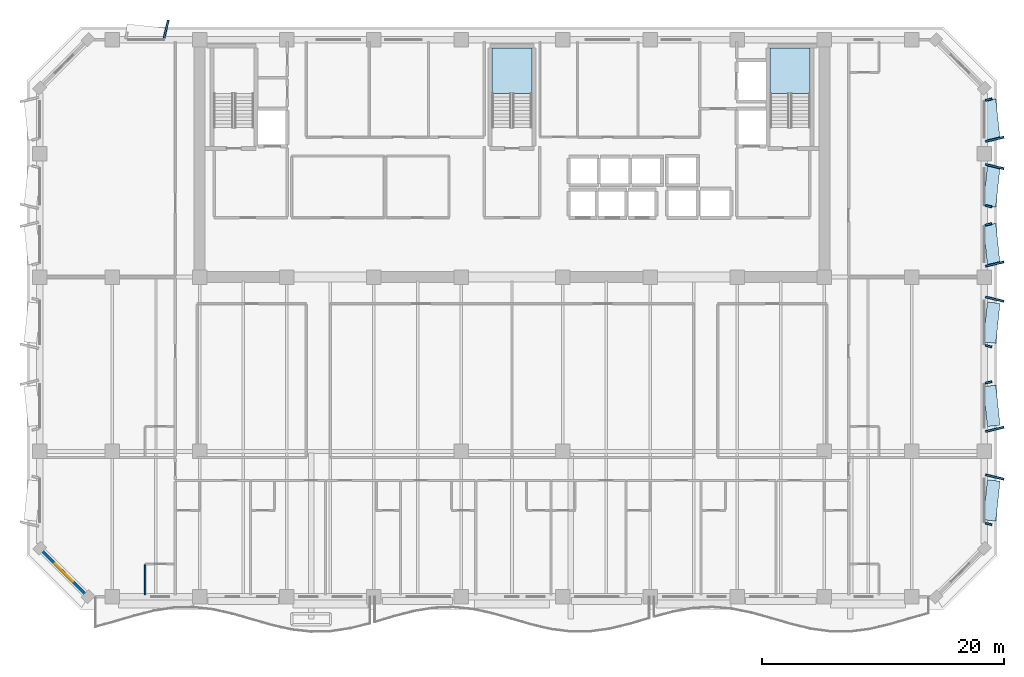
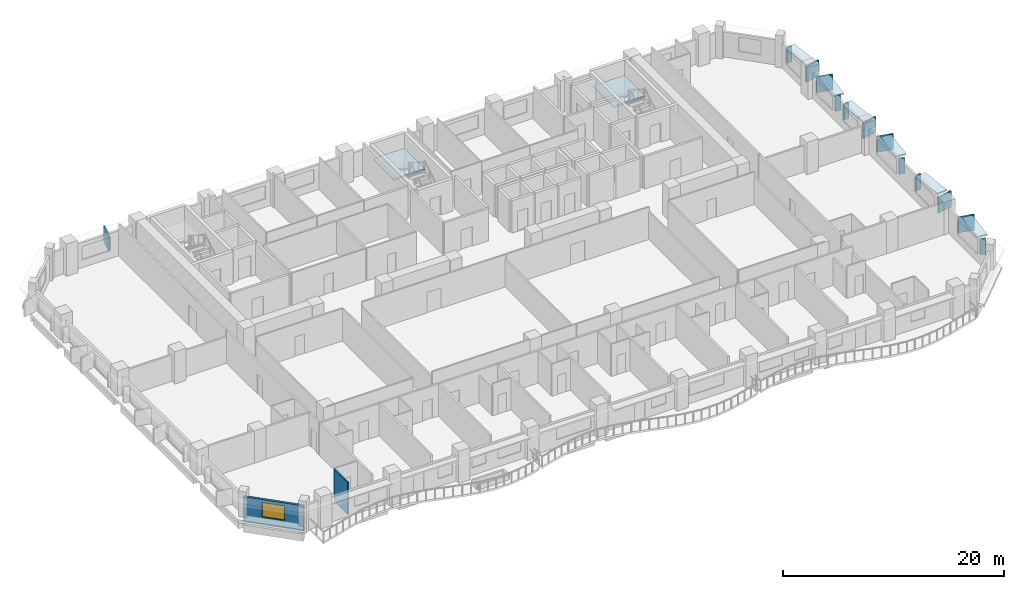
# One storey, part 3 of 15: 19 plates, 2 slabs, 2 walls, 1 window, 1 opening, 2 elements without a shape of their own.
"""IFC4 building model written with IfcOpenShell, lengths in metres."""

from ifc_helpers import new_model, si_unit, direction, frame, frame_2d, origin, origin_2d, place, context, subcontext, project, spatial, polyline, rectangle, outline, extrude, material, layer, layer_set, type_object, element, fill, aggregate, save


model = new_model("IFC4")

# Units and contexts
model_context = context("Model", 3, precision=1e-05, world=origin(), true_north=direction((0.0, 1.0)))
body_context = subcontext(model_context, "Body", "Model", "MODEL_VIEW")
ifc_project = project(units=[si_unit("LENGTHUNIT", "METRE"), si_unit("AREAUNIT", "SQUARE_METRE"), si_unit("VOLUMEUNIT", "CUBIC_METRE"), si_unit("PLANEANGLEUNIT", "RADIAN"), si_unit("MASSUNIT", "GRAM", prefix="KILO")], contexts=[model_context])

# Site, building, storey
site_placement = place(None, origin())
site = spatial("IfcSite", under=ifc_project, at=site_placement, CompositionType="ELEMENT")
building_placement = place(site_placement, origin())
building = spatial("IfcBuilding", under=site, at=building_placement, Name="Kaelvorn Grand Hotel", CompositionType="ELEMENT")
storey_placement = place(building_placement, frame((0.0, 0.0, 154.35009765625)))
storey = spatial("IfcBuildingStorey", under=building, at=storey_placement, Name="L37", CompositionType="ELEMENT", Elevation=154.35009765625)

# Plates
ifc_material_1 = material(Name="Precast concrete C45/55", Category="concrete")
ifc_layer_1 = layer(ifc_material_1, 0.159912109375)
ifc_layer_set_1 = layer_set([ifc_layer_1], Name="Precast concrete C45/55")
plate_type_1 = type_object("IfcPlateType", Name="PL-FRAME-DEEP-1550", PredefinedType="USERDEFINED", material=ifc_layer_set_1)
for number, where, z_axis, x_axis, name in (
    (1, (81.85498046875, 12.889892578125, 0.81494140625), (0.0, 0.0, 1.0), (0.233445363856, 0.972369920398, 0.0), "L37 Tilted Precast Window Frame Fin R-E01"),
    (2, (81.85498046875, 16.824951171875, 0.81494140625), (0.0, 0.0, 1.0), (-0.233445363856, 0.972369920398, 0.0), "L37 Tilted Precast Window Frame Fin L-E02"),
    (3, (81.85498046875, 27.574951171875, 0.81494140625), (0.0, 0.0, 1.0), (0.233445363856, 0.972369920398, 0.0), "L37 Tilted Precast Window Frame Fin R-E03"),
    (4, (81.85498046875, 30.47509765625, 0.73974609375), (0.0, 0.0, 1.0), (-0.233445363856, 0.972369920398, 0.0), "L37 Tilted Precast Window Frame Fin L-E04"),
    (5, (81.85498046875, 38.52490234375, 0.73974609375), (0.0, 0.0, 1.0), (0.233445363856, 0.972369920398, 0.0), "L37 Tilted Precast Window Frame Fin R-E05"),
    (6, (81.85498046875, 40.77490234375, 0.73974609375), (0.0, 0.0, 1.0), (-0.233445363856, 0.972369920398, 0.0), "L37 Tilted Precast Window Frame Fin L-E06"),
    (7, (13.43994140625, 49.85498046875, 0.73974609375), (0.0, 0.0, 1.0), (0.972369920398, -0.233445363856, 0.0), "L37 Tilted Precast Window Frame Fin R-N01"),
):
    element("IfcPlate", number, at=place(storey_placement, frame(where, z_axis=z_axis, x_axis=x_axis)), inside=storey, type_object=plate_type_1, Name=name, ObjectType="FLANGE_PLATE", PredefinedType="USERDEFINED", context=body_context, shape_type="SweptSolid", body=[
        extrude(rectangle(XDim=0.159912109375, YDim=1.550048828125, at=origin_2d()), origin(), (0.0, 0.0, 1.0), 1.719970703125),
    ])
ifc_layer_2 = layer(ifc_material_1, 0.159912109375)
ifc_layer_set_2 = layer_set([ifc_layer_2], Name="Precast concrete C45/55")
plate_type_2 = type_object("IfcPlateType", Name="PL-FRAME-HEAD-1050", PredefinedType="USERDEFINED", material=ifc_layer_set_2)
for number, where, z_axis, x_axis, name in (
    (8, (81.60498046875, 10.949951171875, 2.5), (0.0, 0.0, 1.0), (0.105830199459, 0.994384215926, 0.0), "L37 Precast Window Frame Head Hood H-E01"),
    (9, (81.60498046875, 18.764892578125, 2.5), (0.0, 0.0, 1.0), (-0.105830199459, 0.994384215926, 0.0), "L37 Precast Window Frame Head Hood H-E02"),
    (10, (81.60498046875, 25.635009765625, 2.5), (0.0, 0.0, 1.0), (0.105830199459, 0.994384215926, 0.0), "L37 Precast Window Frame Head Hood H-E03"),
    (11, (81.60498046875, 32.114990234375, 2.35009765625), (0.0, 0.0, 1.0), (-0.105830199459, 0.994384215926, 0.0), "L37 Precast Window Frame Head Hood H-E04"),
    (12, (81.60498046875, 36.885009765625, 2.35009765625), (0.0, 0.0, 1.0), (0.105830199459, 0.994384215926, 0.0), "L37 Precast Window Frame Head Hood H-E05"),
    (13, (81.60498046875, 42.4150390625, 2.35009765625), (0.0, 0.0, 1.0), (-0.105830199459, 0.994384215926, 0.0), "L37 Precast Window Frame Head Hood H-E06"),
):
    element("IfcPlate", number, at=place(storey_placement, frame(where, z_axis=z_axis, x_axis=x_axis)), inside=storey, type_object=plate_type_2, Name=name, ObjectType="FLANGE_PLATE", PredefinedType="USERDEFINED", context=body_context, shape_type="SweptSolid", body=[
        extrude(rectangle(XDim=3.320068359375, YDim=1.050048828125, at=origin_2d()), origin(), (0.0, 0.0, 1.0), 0.159912109375),
    ])
ifc_layer_3 = layer(ifc_material_1, 0.159912109375)
ifc_layer_set_3 = layer_set([ifc_layer_3], Name="Precast concrete C45/55")
plate_type_3 = type_object("IfcPlateType", Name="PL-FRAME-SHAL-550", PredefinedType="USERDEFINED", material=ifc_layer_set_3)
for number, where, z_axis, x_axis, name in (
    (14, (81.35498046875, 9.010009765625, 0.81494140625), (0.0, 0.0, 1.0), (0.233445363856, 0.972369920398, 0.0), "L37 Tilted Precast Window Frame Fin L-E01"),
    (15, (81.35498046875, 20.705078125, 0.81494140625), (0.0, 0.0, 1.0), (-0.233445363856, 0.972369920398, 0.0), "L37 Tilted Precast Window Frame Fin R-E02"),
    (16, (81.35498046875, 23.695068359375, 0.81494140625), (0.0, 0.0, 1.0), (0.233445363856, 0.972369920398, 0.0), "L37 Tilted Precast Window Frame Fin L-E03"),
    (17, (81.35498046875, 33.7548828125, 0.73974609375), (0.0, 0.0, 1.0), (-0.233445363856, 0.972369920398, 0.0), "L37 Tilted Precast Window Frame Fin R-E04"),
    (18, (81.35498046875, 35.2451171875, 0.73974609375), (0.0, 0.0, 1.0), (0.233445363856, 0.972369920398, 0.0), "L37 Tilted Precast Window Frame Fin L-E05"),
    (19, (81.35498046875, 44.054931640625, 0.73974609375), (0.0, 0.0, 1.0), (-0.233445363856, 0.972369920398, 0.0), "L37 Tilted Precast Window Frame Fin R-E06"),
):
    element("IfcPlate", number, at=place(storey_placement, frame(where, z_axis=z_axis, x_axis=x_axis)), inside=storey, type_object=plate_type_3, Name=name, ObjectType="FLANGE_PLATE", PredefinedType="USERDEFINED", context=body_context, shape_type="SweptSolid", body=[
        extrude(rectangle(XDim=0.159912109375, YDim=0.550048828125, at=origin_2d()), origin(), (0.0, 0.0, 1.0), 1.719970703125),
    ])

# Stair, slab
ifc_material_2 = material(Name="Concrete C40/50", Category="concrete")
stair_type = type_object("IfcStairType", Name="STR-DOG-1560-R08", PredefinedType="HALF_TURN_STAIR", material=ifc_material_2)
stair_1_placement = place(storey_placement, origin())
stair_1 = element("IfcStair", 20, at=stair_1_placement, inside=storey, type_object=stair_type, Name="L37 Central Core Exit Stair ST2", PredefinedType="HALF_TURN_STAIR")
ifc_layer_4 = layer(ifc_material_2, 0.199951171875)
ifc_layer_set_4 = layer_set([ifc_layer_4], Name="Concrete C40/50")
slab_type = type_object("IfcSlabType", Name="SLB-LAND-200-C40", PredefinedType="LANDING", material=ifc_layer_set_4)
slab_1_placement = place(storey_placement, frame((0.0, 0.0, 1.699951171875)))
slab_1 = element("IfcSlab", 21, at=slab_1_placement, type_object=slab_type, Name="ST2 landing 1", PredefinedType="LANDING", context=body_context, shape_type="SweptSolid", body=[
    extrude(outline(polyline([(43.639892578125, 44.56005859375), (43.639892578125, 48.300048828125), (40.360107421875, 48.300048828125), (40.360107421875, 44.56005859375), (43.639892578125, 44.56005859375)])), origin(), (0.0, 0.0, 1.0), 0.199951171875),
])
aggregate(stair_1, [slab_1])

stair_2_placement = place(storey_placement, origin())
stair_2 = element("IfcStair", 22, at=stair_2_placement, inside=storey, type_object=stair_type, Name="L37 East Core Exit Stair ST3", PredefinedType="HALF_TURN_STAIR")
slab_2_placement = place(storey_placement, frame((0.0, 0.0, 1.699951171875)))
slab_2 = element("IfcSlab", 23, at=slab_2_placement, type_object=slab_type, Name="ST3 landing 1", PredefinedType="LANDING", context=body_context, shape_type="SweptSolid", body=[
    extrude(outline(polyline([(66.60009765625, 44.56005859375), (66.60009765625, 48.300048828125), (63.320068359375, 48.300048828125), (63.320068359375, 44.56005859375), (66.60009765625, 44.56005859375)])), origin(), (0.0, 0.0, 1.0), 0.199951171875),
])
aggregate(stair_2, [slab_2])

# Wall, opening, window
ifc_layer_5 = layer(ifc_material_2, 0.239990234375)
ifc_layer_set_5 = layer_set([ifc_layer_5], Name="Concrete C40/50")
wall_type_1 = type_object("IfcWallType", Name="WL-EXT-240-C40", PredefinedType="SOLIDWALL", material=ifc_layer_set_5)
wall_1_placement = place(storey_placement, frame((3.0, 7.0, 0.0), z_axis=(0.0, 0.0, 1.0), x_axis=(0.707106781187, -0.707106781187, 0.0)))
wall_1 = element("IfcWall", 24, at=wall_1_placement, inside=storey, type_object=wall_type_1, Name="L37 Exterior Architectural Concrete Wall 08", PredefinedType="SOLIDWALL", context=body_context, shape_type="SweptSolid", body=[
    extrude(rectangle(XDim=5.65673828125, YDim=0.239990234375, at=frame_2d((2.828369140625, 0.0))), origin(), (0.0, 0.0, 1.0), 2.760009765625),
])
opening_placement = place(wall_1_placement, frame((1.7783203125, 0.0, 0.85009765625)))
opening = element("IfcOpeningElement", 25, at=opening_placement, cuts=wall_1, Name="Opening W7", PredefinedType="OPENING", context=body_context, shape_type="SweptSolid", body=[
    extrude(rectangle(XDim=2.10009765625, YDim=1.60009765625, at=frame_2d((1.050048828125, 0.800048828125))), frame((0.0, 0.1298828125, 0.0), z_axis=(0.0, -1.0, 0.0), x_axis=(1.0, 0.0, 0.0)), (0.0, 0.0, 1.0), 0.260009765625),
])
ifc_material_3 = material(Name="Laminated Low-E Glass", Category="glass")
window_type = type_object("IfcWindowType", Name="WIN-CHM-2100x1600", PartitioningType="SINGLE_PANEL", PredefinedType="WINDOW", material=ifc_material_3)
window_placement = place(opening_placement, origin())
window = element("IfcWindow", 26, at=window_placement, inside=storey, type_object=window_type, Name="L37 Chamfered 45-Degree Corner Window SW", OverallHeight=1.60009765625, OverallWidth=2.10009765625, PartitioningType="SINGLE_PANEL", PredefinedType="WINDOW", context=body_context, shape_type="SweptSolid", body=[
    extrude(rectangle(XDim=2.10009765625, YDim=1.60009765625, at=frame_2d((1.050048828125, 0.800048828125))), frame((0.0, 0.030029296875, 0.0), z_axis=(0.0, -1.0, 0.0), x_axis=(1.0, 0.0, 0.0)), (0.0, 0.0, 1.0), 0.06005859375),
])
fill(opening, window)

# Wall
ifc_material_4 = material(Name="Moisture-Resistant Tile & Stud Board")
ifc_layer_6 = layer(ifc_material_4, 0.125)
ifc_layer_set_6 = layer_set([ifc_layer_6], Name="Moisture-Resistant Tile & Stud Board")
wall_type_2 = type_object("IfcWallType", Name="WL-PART-125-WET", PredefinedType="PARTITIONING", material=ifc_layer_set_6)
wall_2_placement = place(storey_placement, frame((11.699951171875, 3.14990234375, 0.0), z_axis=(0.0, 0.0, 1.0), x_axis=(0.0, 1.0, 0.0)))
element("IfcWall", 27, at=wall_2_placement, inside=storey, type_object=wall_type_2, Name="L37 En-suite Bathroom L37-10 W Partition", PredefinedType="PARTITIONING", context=body_context, shape_type="SweptSolid", body=[
    extrude(rectangle(XDim=2.482666015625, YDim=0.125, at=frame_2d((1.2412109375, 0.0))), origin(), (0.0, 0.0, 1.0), 3.559814453125),
])

save(model, "model.ifc")
